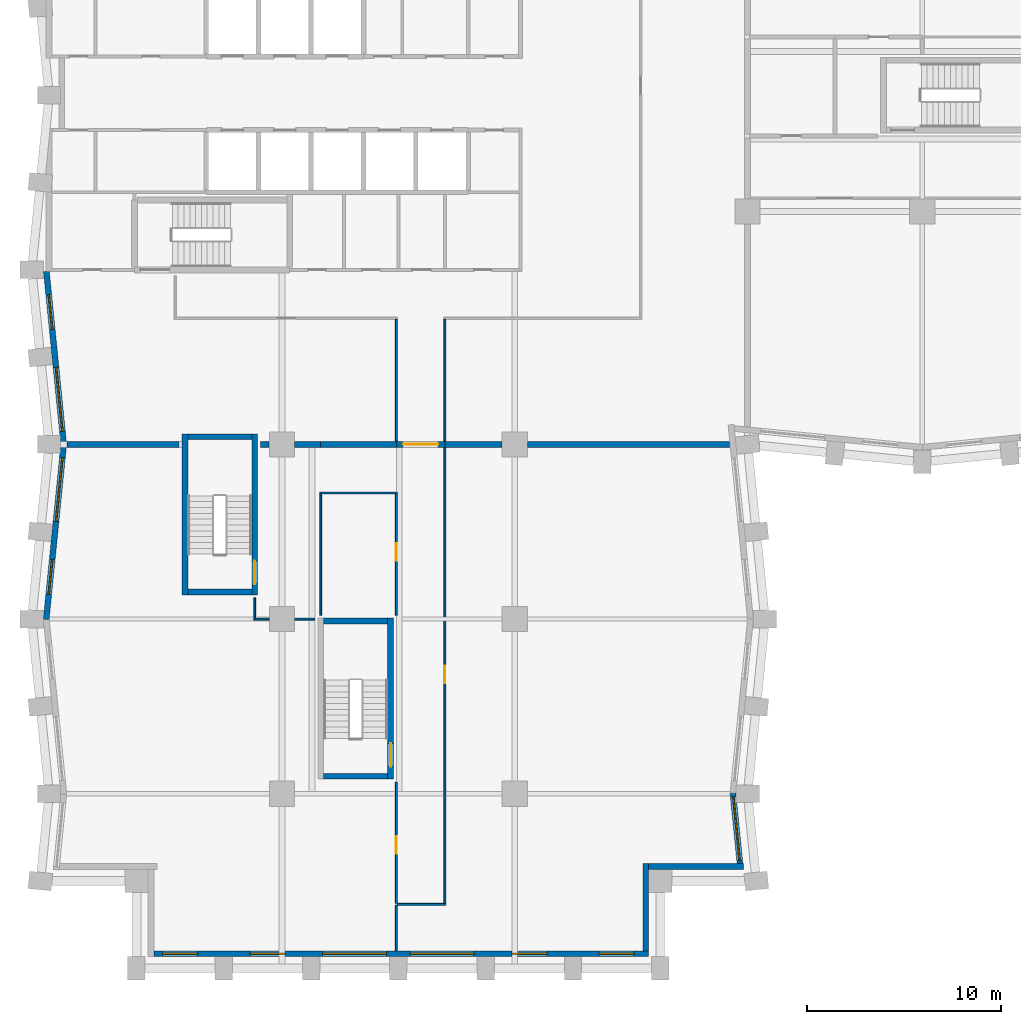
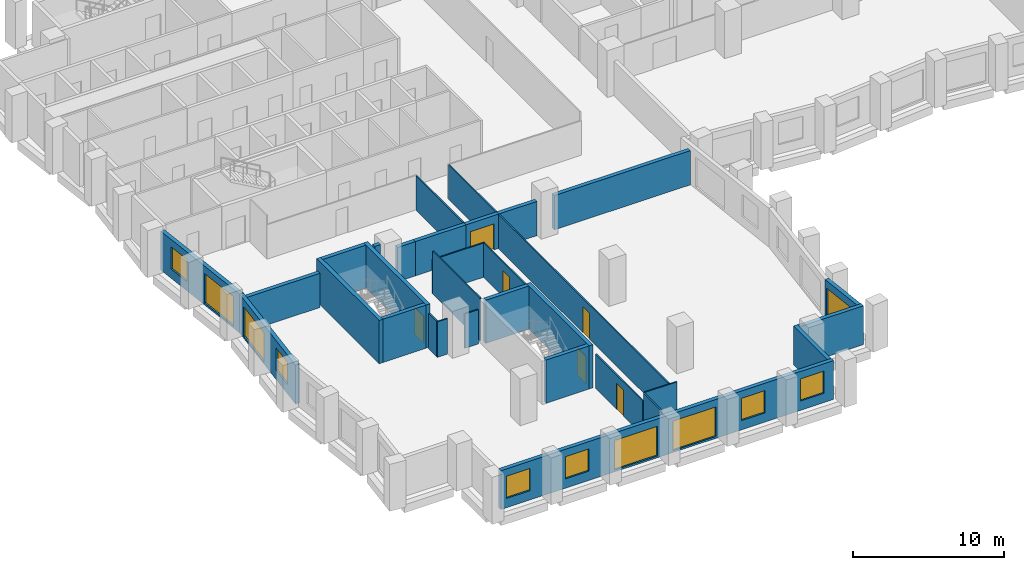
# One storey, part 3 of 11: 32 walls, 11 windows, 6 doors, 17 openings.
"""IFC4 building model written with IfcOpenShell, lengths in metres."""

from ifc_helpers import new_model, si_unit, direction, frame, frame_2d, origin, place, context, subcontext, project, spatial, rectangle, extrude, material, layer, layer_set, type_object, element, fill, save


model = new_model("IFC4")

# Units and contexts
model_context = context("Model", 3, precision=1e-05, world=origin(), true_north=direction((0.0, 1.0)))
body_context = subcontext(model_context, "Body", "Model", "MODEL_VIEW")
ifc_project = project(units=[si_unit("LENGTHUNIT", "METRE"), si_unit("AREAUNIT", "SQUARE_METRE"), si_unit("VOLUMEUNIT", "CUBIC_METRE"), si_unit("PLANEANGLEUNIT", "RADIAN"), si_unit("MASSUNIT", "GRAM", prefix="KILO")], contexts=[model_context])

# Site, building, storey
site_placement = place(None, origin())
site = spatial("IfcSite", under=ifc_project, at=site_placement, CompositionType="ELEMENT")
building_placement = place(site_placement, origin())
building = spatial("IfcBuilding", under=site, at=building_placement, Name="Brondeck Convention Tower", CompositionType="ELEMENT")
storey_placement = place(building_placement, frame((0.0, 0.0, 115.10009765625)))
storey = spatial("IfcBuildingStorey", under=building, at=storey_placement, Name="L27", CompositionType="ELEMENT", Elevation=115.10009765625)

# Walls
ifc_material_1 = material(Name="Concrete compartment wall C30/37", Category="concrete")
ifc_layer_1 = layer(ifc_material_1, 0.300048828125)
ifc_layer_set_1 = layer_set([ifc_layer_1], Name="Compartment wall 300")
wall_type_1 = type_object("IfcWallType", Name="Compartment wall 300", PredefinedType="PARTITIONING", material=ifc_layer_set_1)
wall_1_placement = place(storey_placement, frame((0.924560546875, 27.0, 0.0), z_axis=(0.0, 0.0, 1.0), x_axis=(1.0, 0.0, 0.0)))
element("IfcWall", 1, at=wall_1_placement, inside=storey, type_object=wall_type_1, Name="FLR-L27-W011", PredefinedType="PARTITIONING", context=body_context, shape_type="SweptSolid", body=[
    extrude(rectangle(XDim=5.775390625, YDim=0.300048828125, at=frame_2d((2.8876953125, 0.0))), origin(), (0.0, 0.0, 1.0), 2.77978515625),
])
wall_2_placement = place(storey_placement, frame((10.89990234375, 27.0, 0.0), z_axis=(0.0, 0.0, 1.0), x_axis=(1.0, 0.0, 0.0)))
element("IfcWall", 2, at=wall_2_placement, inside=storey, type_object=wall_type_1, Name="FLR-L27-W012", PredefinedType="PARTITIONING", context=body_context, shape_type="SweptSolid", body=[
    extrude(rectangle(XDim=0.445068359375, YDim=0.300048828125, at=frame_2d((0.22265625, 0.0))), origin(), (0.0, 0.0, 1.0), 3.47998046875),
])
wall_3_placement = place(storey_placement, frame((12.655029296875, 27.0, 0.0), z_axis=(0.0, 0.0, 1.0), x_axis=(1.0, 0.0, 0.0)))
element("IfcWall", 3, at=wall_3_placement, inside=storey, type_object=wall_type_1, Name="FLR-L27-W013", PredefinedType="PARTITIONING", context=body_context, shape_type="SweptSolid", body=[
    extrude(rectangle(XDim=1.344970703125, YDim=0.300048828125, at=frame_2d((0.67236328125, 0.0))), origin(), (0.0, 0.0, 1.0), 2.77978515625),
])
wall_4_placement = place(storey_placement, frame((14.0, 27.0, 0.0), z_axis=(0.0, 0.0, 1.0), x_axis=(1.0, 0.0, 0.0)))
element("IfcWall", 4, at=wall_4_placement, inside=storey, type_object=wall_type_1, Name="FLR-L27-W014", PredefinedType="PARTITIONING", context=body_context, shape_type="SweptSolid", body=[
    extrude(rectangle(XDim=3.89990234375, YDim=0.300048828125, at=frame_2d((1.949951171875, 0.0))), origin(), (0.0, 0.0, 1.0), 2.77978515625),
])

# Wall, opening, door
wall_5_placement = place(storey_placement, frame((20.39990234375, 27.0, 0.0), z_axis=(0.0, 0.0, 1.0), x_axis=(-1.0, 0.0, 0.0)))
wall_5 = element("IfcWall", 5, at=wall_5_placement, inside=storey, type_object=wall_type_1, Name="FLR-L27-W015", PredefinedType="PARTITIONING", context=body_context, shape_type="SweptSolid", body=[
    extrude(rectangle(XDim=2.5, YDim=0.300048828125, at=frame_2d((1.25, 0.0))), origin(), (0.0, 0.0, 1.0), 2.77978515625),
])
opening_1_placement = place(wall_5_placement, frame((0.35009765625, 0.0, 0.0)))
opening_1 = element("IfcOpeningElement", 6, at=opening_1_placement, cuts=wall_5, Name="Opening OF-C-020", PredefinedType="OPENING", context=body_context, shape_type="SweptSolid", body=[
    extrude(rectangle(XDim=1.800048828125, YDim=2.10009765625, at=frame_2d((0.89990234375, 1.050048828125))), frame((0.0, 0.159912109375, 0.0), z_axis=(0.0, -1.0, 0.0), x_axis=(1.0, 0.0, 0.0)), (0.0, 0.0, 1.0), 0.320068359375),
])
ifc_material_2 = material(Name="Steel fire door pair", Category="steel")
door_type_1 = type_object("IfcDoorType", Name="Fire door pair 1800", OperationType="DOUBLE_DOOR_SINGLE_SWING", PredefinedType="DOOR", material=ifc_material_2)
door_1_placement = place(opening_1_placement, origin())
door_1 = element("IfcDoor", 7, at=door_1_placement, inside=storey, type_object=door_type_1, Name="Door OF-C-020", OperationType="DOUBLE_DOOR_SINGLE_SWING", OverallHeight=2.10009765625, OverallWidth=1.800048828125, PredefinedType="DOOR", context=body_context, shape_type="SweptSolid", body=[
    extrude(rectangle(XDim=1.800048828125, YDim=2.10009765625, at=frame_2d((0.89990234375, 1.050048828125))), frame((0.0, 0.02490234375, 0.0), z_axis=(0.0, -1.0, 0.0), x_axis=(1.0, 0.0, 0.0)), (0.0, 0.0, 1.0), 0.050048828125),
])
fill(opening_1, door_1)

# Walls
wall_6_placement = place(storey_placement, frame((20.39990234375, 27.0, 0.0), z_axis=(0.0, 0.0, 1.0), x_axis=(1.0, 0.0, 0.0)))
element("IfcWall", 8, at=wall_6_placement, inside=storey, type_object=wall_type_1, Name="FLR-L27-W016", PredefinedType="PARTITIONING", context=body_context, shape_type="SweptSolid", body=[
    extrude(rectangle(XDim=2.945068359375, YDim=0.300048828125, at=frame_2d((1.47265625, 0.0))), origin(), (0.0, 0.0, 1.0), 2.77978515625),
])
wall_7_placement = place(storey_placement, frame((24.655029296875, 27.0, 0.0), z_axis=(0.0, 0.0, 1.0), x_axis=(1.0, 0.0, 0.0)))
element("IfcWall", 9, at=wall_7_placement, inside=storey, type_object=wall_type_1, Name="FLR-L27-W017", PredefinedType="PARTITIONING", context=body_context, shape_type="SweptSolid", body=[
    extrude(rectangle(XDim=10.42041015625, YDim=0.300048828125, at=frame_2d((5.210205078125, 0.0))), origin(), (0.0, 0.0, 1.0), 2.77978515625),
])

# Wall, openings, windows
ifc_material_3 = material(Name="Precast concrete C50/60 bronze finish", Category="concrete")
ifc_layer_2 = layer(ifc_material_3, 0.070068359375, Name="Bronze precast facing")
ifc_material_4 = material(Name="Mineral wool")
ifc_layer_3 = layer(ifc_material_4, 0.159912109375, Name="Insulation")
ifc_material_5 = material(Name="Concrete C35/45", Category="concrete")
ifc_layer_4 = layer(ifc_material_5, 0.070068359375, Name="Backing")
ifc_layer_set_2 = layer_set([ifc_layer_2, ifc_layer_3, ifc_layer_4], Name="External infill wall, precast concrete C50/60 bronze facing")
wall_type_2 = type_object("IfcWallType", Name="External infill wall, precast concrete C50/60 bronze facing", PredefinedType="SOLIDWALL", material=ifc_layer_set_2)
wall_8_placement = place(storey_placement, frame((30.89990234375, 0.75, 0.0), z_axis=(0.0, 0.0, 1.0), x_axis=(-1.0, 0.0, 0.0)))
wall_8 = element("IfcWall", 10, at=wall_8_placement, inside=storey, type_object=wall_type_2, Name="ENV-EW-L27-P0-B-S0-01", PredefinedType="SOLIDWALL", context=body_context, shape_type="SweptSolid", body=[
    extrude(rectangle(XDim=25.5, YDim=0.300048828125, at=frame_2d((12.75, 0.0))), origin(), (0.0, 0.0, 1.0), 3.14990234375),
])
opening_2_placement = place(wall_8_placement, frame((0.75, 0.0, 0.75)))
opening_2 = element("IfcOpeningElement", 11, at=opening_2_placement, cuts=wall_8, Name="Opening W10", PredefinedType="OPENING", context=body_context, shape_type="SweptSolid", body=[
    extrude(rectangle(XDim=1.800048828125, YDim=1.800048828125, at=frame_2d((0.89990234375, 0.89990234375))), frame((0.0, 0.159912109375, 0.0), z_axis=(0.0, -1.0, 0.0), x_axis=(1.0, 0.0, 0.0)), (0.0, 0.0, 1.0), 0.320068359375),
])
opening_3_placement = place(wall_8_placement, frame((5.25, 0.0, 0.75)))
opening_3 = element("IfcOpeningElement", 12, at=opening_3_placement, cuts=wall_8, Name="Opening W10", PredefinedType="OPENING", context=body_context, shape_type="SweptSolid", body=[
    extrude(rectangle(XDim=1.800048828125, YDim=1.800048828125, at=frame_2d((0.89990234375, 0.89990234375))), frame((0.0, 0.159912109375, 0.0), z_axis=(0.0, -1.0, 0.0), x_axis=(1.0, 0.0, 0.0)), (0.0, 0.0, 1.0), 0.320068359375),
])
opening_4_placement = place(wall_8_placement, frame((9.0, 0.0, 0.14990234375)))
opening_4 = element("IfcOpeningElement", 13, at=opening_4_placement, cuts=wall_8, Name="Opening W9", PredefinedType="OPENING", context=body_context, shape_type="SweptSolid", body=[
    extrude(rectangle(XDim=3.300048828125, YDim=2.39990234375, at=frame_2d((1.64990234375, 1.199951171875))), frame((0.0, 0.159912109375, 0.0), z_axis=(0.0, -1.0, 0.0), x_axis=(1.0, 0.0, 0.0)), (0.0, 0.0, 1.0), 0.320068359375),
])
opening_5_placement = place(wall_8_placement, frame((13.5, 0.0, 0.14990234375)))
opening_5 = element("IfcOpeningElement", 14, at=opening_5_placement, cuts=wall_8, Name="Opening W9", PredefinedType="OPENING", context=body_context, shape_type="SweptSolid", body=[
    extrude(rectangle(XDim=3.300048828125, YDim=2.39990234375, at=frame_2d((1.64990234375, 1.199951171875))), frame((0.0, 0.159912109375, 0.0), z_axis=(0.0, -1.0, 0.0), x_axis=(1.0, 0.0, 0.0)), (0.0, 0.0, 1.0), 0.320068359375),
])
opening_6_placement = place(wall_8_placement, frame((18.75, 0.0, 0.75)))
opening_6 = element("IfcOpeningElement", 15, at=opening_6_placement, cuts=wall_8, Name="Opening W10", PredefinedType="OPENING", context=body_context, shape_type="SweptSolid", body=[
    extrude(rectangle(XDim=1.800048828125, YDim=1.800048828125, at=frame_2d((0.89990234375, 0.89990234375))), frame((0.0, 0.159912109375, 0.0), z_axis=(0.0, -1.0, 0.0), x_axis=(1.0, 0.0, 0.0)), (0.0, 0.0, 1.0), 0.320068359375),
])
opening_7_placement = place(wall_8_placement, frame((23.25, 0.0, 0.75)))
opening_7 = element("IfcOpeningElement", 16, at=opening_7_placement, cuts=wall_8, Name="Opening W10", PredefinedType="OPENING", context=body_context, shape_type="SweptSolid", body=[
    extrude(rectangle(XDim=1.800048828125, YDim=1.800048828125, at=frame_2d((0.89990234375, 0.89990234375))), frame((0.0, 0.159912109375, 0.0), z_axis=(0.0, -1.0, 0.0), x_axis=(1.0, 0.0, 0.0)), (0.0, 0.0, 1.0), 0.320068359375),
])
ifc_material_6 = material(Name="Bronze tinted double glazing", Category="glass")
window_type_1 = type_object("IfcWindowType", Name="Glazed flute window, bronze tinted", PartitioningType="SINGLE_PANEL", PredefinedType="WINDOW", material=ifc_material_6)
window_1_placement = place(opening_4_placement, origin())
window_1 = element("IfcWindow", 17, at=window_1_placement, inside=storey, type_object=window_type_1, Name="ENV-WN-L27-P0-B-S0-04", OverallHeight=2.39990234375, OverallWidth=3.300048828125, PartitioningType="SINGLE_PANEL", PredefinedType="WINDOW", context=body_context, shape_type="SweptSolid", body=[
    extrude(rectangle(XDim=3.300048828125, YDim=2.39990234375, at=frame_2d((1.64990234375, 1.199951171875))), frame((0.0, 0.030029296875, 0.0), z_axis=(0.0, -1.0, 0.0), x_axis=(1.0, 0.0, 0.0)), (0.0, 0.0, 1.0), 0.06005859375),
])
fill(opening_4, window_1)
window_2_placement = place(opening_5_placement, origin())
window_2 = element("IfcWindow", 18, at=window_2_placement, inside=storey, type_object=window_type_1, Name="ENV-WN-L27-P0-B-S0-03", OverallHeight=2.39990234375, OverallWidth=3.300048828125, PartitioningType="SINGLE_PANEL", PredefinedType="WINDOW", context=body_context, shape_type="SweptSolid", body=[
    extrude(rectangle(XDim=3.300048828125, YDim=2.39990234375, at=frame_2d((1.64990234375, 1.199951171875))), frame((0.0, 0.030029296875, 0.0), z_axis=(0.0, -1.0, 0.0), x_axis=(1.0, 0.0, 0.0)), (0.0, 0.0, 1.0), 0.06005859375),
])
fill(opening_5, window_2)
window_type_2 = type_object("IfcWindowType", Name="Punched window, bronze tinted", PartitioningType="SINGLE_PANEL", PredefinedType="WINDOW", material=ifc_material_6)
window_3_placement = place(opening_2_placement, origin())
window_3 = element("IfcWindow", 19, at=window_3_placement, inside=storey, type_object=window_type_2, Name="ENV-WN-L27-P0-B-S0-06", OverallHeight=1.800048828125, OverallWidth=1.800048828125, PartitioningType="SINGLE_PANEL", PredefinedType="WINDOW", context=body_context, shape_type="SweptSolid", body=[
    extrude(rectangle(XDim=1.800048828125, YDim=1.800048828125, at=frame_2d((0.89990234375, 0.89990234375))), frame((0.0, 0.030029296875, 0.0), z_axis=(0.0, -1.0, 0.0), x_axis=(1.0, 0.0, 0.0)), (0.0, 0.0, 1.0), 0.06005859375),
])
fill(opening_2, window_3)
window_4_placement = place(opening_3_placement, origin())
window_4 = element("IfcWindow", 20, at=window_4_placement, inside=storey, type_object=window_type_2, Name="ENV-WN-L27-P0-B-S0-05", OverallHeight=1.800048828125, OverallWidth=1.800048828125, PartitioningType="SINGLE_PANEL", PredefinedType="WINDOW", context=body_context, shape_type="SweptSolid", body=[
    extrude(rectangle(XDim=1.800048828125, YDim=1.800048828125, at=frame_2d((0.89990234375, 0.89990234375))), frame((0.0, 0.030029296875, 0.0), z_axis=(0.0, -1.0, 0.0), x_axis=(1.0, 0.0, 0.0)), (0.0, 0.0, 1.0), 0.06005859375),
])
fill(opening_3, window_4)
window_5_placement = place(opening_6_placement, origin())
window_5 = element("IfcWindow", 21, at=window_5_placement, inside=storey, type_object=window_type_2, Name="ENV-WN-L27-P0-B-S0-02", OverallHeight=1.800048828125, OverallWidth=1.800048828125, PartitioningType="SINGLE_PANEL", PredefinedType="WINDOW", context=body_context, shape_type="SweptSolid", body=[
    extrude(rectangle(XDim=1.800048828125, YDim=1.800048828125, at=frame_2d((0.89990234375, 0.89990234375))), frame((0.0, 0.030029296875, 0.0), z_axis=(0.0, -1.0, 0.0), x_axis=(1.0, 0.0, 0.0)), (0.0, 0.0, 1.0), 0.06005859375),
])
fill(opening_6, window_5)
window_6_placement = place(opening_7_placement, origin())
window_6 = element("IfcWindow", 22, at=window_6_placement, inside=storey, type_object=window_type_2, Name="ENV-WN-L27-P0-B-S0-01", OverallHeight=1.800048828125, OverallWidth=1.800048828125, PartitioningType="SINGLE_PANEL", PredefinedType="WINDOW", context=body_context, shape_type="SweptSolid", body=[
    extrude(rectangle(XDim=1.800048828125, YDim=1.800048828125, at=frame_2d((0.89990234375, 0.89990234375))), frame((0.0, 0.030029296875, 0.0), z_axis=(0.0, -1.0, 0.0), x_axis=(1.0, 0.0, 0.0)), (0.0, 0.0, 1.0), 0.06005859375),
])
fill(opening_7, window_6)

# Walls
wall_9_placement = place(storey_placement, frame((30.75, 5.39990234375, 0.0), z_axis=(0.0, 0.0, 1.0), x_axis=(0.0, -1.0, 0.0)))
element("IfcWall", 23, at=wall_9_placement, inside=storey, type_object=wall_type_2, Name="ENV-EW-L27-P0-NC-SEB0-01", PredefinedType="SOLIDWALL", context=body_context, shape_type="SweptSolid", body=[
    extrude(rectangle(XDim=4.501953125, YDim=0.300048828125, at=frame_2d((2.2509765625, 0.0))), origin(), (0.0, 0.0, 1.0), 3.14990234375),
])
wall_10_placement = place(storey_placement, frame((35.787109375, 5.25, 0.0), z_axis=(0.0, 0.0, 1.0), x_axis=(-1.0, 0.0, 0.0)))
element("IfcWall", 24, at=wall_10_placement, inside=storey, type_object=wall_type_2, Name="ENV-EW-L27-P0-NC-SEB0-02", PredefinedType="SOLIDWALL", context=body_context, shape_type="SweptSolid", body=[
    extrude(rectangle(XDim=4.88720703125, YDim=0.300048828125, at=frame_2d((2.443603515625, 0.0))), origin(), (0.0, 0.0, 1.0), 3.14990234375),
])

# Wall, opening, window
wall_11_placement = place(storey_placement, frame((35.244873046875, 9.014892578125, 0.0), z_axis=(0.0, 0.0, 1.0), x_axis=(0.099470401798, -0.995040521369, 0.0)))
wall_11 = element("IfcWall", 25, at=wall_11_placement, inside=storey, type_object=wall_type_2, Name="ENV-EW-L27-P0-B-E-04", PredefinedType="SOLIDWALL", context=body_context, shape_type="SweptSolid", body=[
    extrude(rectangle(XDim=3.627685546875, YDim=0.300048828125, at=frame_2d((1.81396484375, 0.0))), origin(), (0.0, 0.0, 1.0), 3.14990234375),
])
opening_8_placement = place(wall_11_placement, frame((0.177734375, 0.0, 0.14990234375)))
opening_8 = element("IfcOpeningElement", 26, at=opening_8_placement, cuts=wall_11, Name="Opening W9", PredefinedType="OPENING", context=body_context, shape_type="SweptSolid", body=[
    extrude(rectangle(XDim=3.300048828125, YDim=2.39990234375, at=frame_2d((1.64990234375, 1.199951171875))), frame((0.0, 0.159912109375, 0.0), z_axis=(0.0, -1.0, 0.0), x_axis=(1.0, 0.0, 0.0)), (0.0, 0.0, 1.0), 0.320068359375),
])
window_7_placement = place(opening_8_placement, origin())
window_7 = element("IfcWindow", 27, at=window_7_placement, inside=storey, type_object=window_type_1, Name="ENV-WN-L27-P0-B-E-04", OverallHeight=2.39990234375, OverallWidth=3.300048828125, PartitioningType="SINGLE_PANEL", PredefinedType="WINDOW", context=body_context, shape_type="SweptSolid", body=[
    extrude(rectangle(XDim=3.300048828125, YDim=2.39990234375, at=frame_2d((1.64990234375, 1.199951171875))), frame((0.0, 0.030029296875, 0.0), z_axis=(0.0, -1.0, 0.0), x_axis=(1.0, 0.0, 0.0)), (0.0, 0.0, 1.0), 0.06005859375),
])
fill(opening_8, window_7)

# Wall, openings, windows
wall_12_placement = place(storey_placement, frame((0.755126953125, 26.985107421875, 0.0), z_axis=(0.0, 0.0, 1.0), x_axis=(-0.099479505633, 0.995039611251, 0.0)))
wall_12 = element("IfcWall", 28, at=wall_12_placement, inside=storey, type_object=wall_type_2, Name="ENV-EW-L27-P0-B-W-06", PredefinedType="SOLIDWALL", context=body_context, shape_type="SweptSolid", body=[
    extrude(rectangle(XDim=8.98486328125, YDim=0.300048828125, at=frame_2d((4.492431640625, 0.0))), origin(), (0.0, 0.0, 1.0), 3.14990234375),
])
opening_9_placement = place(wall_12_placement, frame((0.701171875, 0.0, 0.14990234375)))
opening_9 = element("IfcOpeningElement", 29, at=opening_9_placement, cuts=wall_12, Name="Opening W9", PredefinedType="OPENING", context=body_context, shape_type="SweptSolid", body=[
    extrude(rectangle(XDim=3.300048828125, YDim=2.39990234375, at=frame_2d((1.64990234375, 1.199951171875))), frame((0.0, 0.159912109375, 0.0), z_axis=(0.0, -1.0, 0.0), x_axis=(1.0, 0.0, 0.0)), (0.0, 0.0, 1.0), 0.320068359375),
])
opening_10_placement = place(wall_12_placement, frame((5.9736328125, 0.0, 0.75)))
opening_10 = element("IfcOpeningElement", 30, at=opening_10_placement, cuts=wall_12, Name="Opening W10", PredefinedType="OPENING", context=body_context, shape_type="SweptSolid", body=[
    extrude(rectangle(XDim=1.800048828125, YDim=1.800048828125, at=frame_2d((0.89990234375, 0.89990234375))), frame((0.0, 0.159912109375, 0.0), z_axis=(0.0, -1.0, 0.0), x_axis=(1.0, 0.0, 0.0)), (0.0, 0.0, 1.0), 0.320068359375),
])
window_8_placement = place(opening_9_placement, origin())
window_8 = element("IfcWindow", 31, at=window_8_placement, inside=storey, type_object=window_type_1, Name="ENV-WN-L27-P0-B-W-07", OverallHeight=2.39990234375, OverallWidth=3.300048828125, PartitioningType="SINGLE_PANEL", PredefinedType="WINDOW", context=body_context, shape_type="SweptSolid", body=[
    extrude(rectangle(XDim=3.300048828125, YDim=2.39990234375, at=frame_2d((1.64990234375, 1.199951171875))), frame((0.0, 0.030029296875, 0.0), z_axis=(0.0, -1.0, 0.0), x_axis=(1.0, 0.0, 0.0)), (0.0, 0.0, 1.0), 0.06005859375),
])
fill(opening_9, window_8)
window_9_placement = place(opening_10_placement, origin())
window_9 = element("IfcWindow", 32, at=window_9_placement, inside=storey, type_object=window_type_2, Name="ENV-WN-L27-P0-B-W-06", OverallHeight=1.800048828125, OverallWidth=1.800048828125, PartitioningType="SINGLE_PANEL", PredefinedType="WINDOW", context=body_context, shape_type="SweptSolid", body=[
    extrude(rectangle(XDim=1.800048828125, YDim=1.800048828125, at=frame_2d((0.89990234375, 0.89990234375))), frame((0.0, 0.030029296875, 0.0), z_axis=(0.0, -1.0, 0.0), x_axis=(1.0, 0.0, 0.0)), (0.0, 0.0, 1.0), 0.06005859375),
])
fill(opening_10, window_9)

wall_13_placement = place(storey_placement, frame((-0.147705078125, 17.985107421875, 0.0), z_axis=(0.0, 0.0, 1.0), x_axis=(0.099495688264, 0.995037993253, 0.0)))
wall_13 = element("IfcWall", 33, at=wall_13_placement, inside=storey, type_object=wall_type_2, Name="ENV-EW-L27-P0-B-W-08", PredefinedType="SOLIDWALL", context=body_context, shape_type="SweptSolid", body=[
    extrude(rectangle(XDim=9.030029296875, YDim=0.300048828125, at=frame_2d((4.51513671875, 0.0))), origin(), (0.0, 0.0, 1.0), 3.14990234375),
])
opening_11_placement = place(wall_13_placement, frame((1.30126953125, 0.0, 0.75)))
opening_11 = element("IfcOpeningElement", 34, at=opening_11_placement, cuts=wall_13, Name="Opening W10", PredefinedType="OPENING", context=body_context, shape_type="SweptSolid", body=[
    extrude(rectangle(XDim=1.800048828125, YDim=1.800048828125, at=frame_2d((0.89990234375, 0.89990234375))), frame((0.0, 0.159912109375, 0.0), z_axis=(0.0, -1.0, 0.0), x_axis=(1.0, 0.0, 0.0)), (0.0, 0.0, 1.0), 0.320068359375),
])
opening_12_placement = place(wall_13_placement, frame((5.073486328125, 0.0, 0.14990234375)))
opening_12 = element("IfcOpeningElement", 35, at=opening_12_placement, cuts=wall_13, Name="Opening W9", PredefinedType="OPENING", context=body_context, shape_type="SweptSolid", body=[
    extrude(rectangle(XDim=3.300048828125, YDim=2.39990234375, at=frame_2d((1.64990234375, 1.199951171875))), frame((0.0, 0.159912109375, 0.0), z_axis=(0.0, -1.0, 0.0), x_axis=(1.0, 0.0, 0.0)), (0.0, 0.0, 1.0), 0.320068359375),
])
window_10_placement = place(opening_12_placement, origin())
window_10 = element("IfcWindow", 36, at=window_10_placement, inside=storey, type_object=window_type_1, Name="ENV-WN-L27-P0-B-W-08", OverallHeight=2.39990234375, OverallWidth=3.300048828125, PartitioningType="SINGLE_PANEL", PredefinedType="WINDOW", context=body_context, shape_type="SweptSolid", body=[
    extrude(rectangle(XDim=3.300048828125, YDim=2.39990234375, at=frame_2d((1.64990234375, 1.199951171875))), frame((0.0, 0.030029296875, 0.0), z_axis=(0.0, -1.0, 0.0), x_axis=(1.0, 0.0, 0.0)), (0.0, 0.0, 1.0), 0.06005859375),
])
fill(opening_12, window_10)
window_11_placement = place(opening_11_placement, origin())
window_11 = element("IfcWindow", 37, at=window_11_placement, inside=storey, type_object=window_type_2, Name="ENV-WN-L27-P0-B-W-09", OverallHeight=1.800048828125, OverallWidth=1.800048828125, PartitioningType="SINGLE_PANEL", PredefinedType="WINDOW", context=body_context, shape_type="SweptSolid", body=[
    extrude(rectangle(XDim=1.800048828125, YDim=1.800048828125, at=frame_2d((0.89990234375, 0.89990234375))), frame((0.0, 0.030029296875, 0.0), z_axis=(0.0, -1.0, 0.0), x_axis=(1.0, 0.0, 0.0)), (0.0, 0.0, 1.0), 0.06005859375),
])
fill(opening_11, window_11)

# Walls
ifc_material_7 = material(Name="Gypsum board partition on steel studs", Category="steel")
ifc_layer_5 = layer(ifc_material_7, 0.10009765625)
ifc_layer_set_3 = layer_set([ifc_layer_5], Name="Room partition 100")
wall_type_3 = type_object("IfcWallType", Name="Room partition 100", PredefinedType="PARTITIONING", material=ifc_layer_set_3)
wall_14_placement = place(storey_placement, frame((17.89990234375, 0.919921875, 0.0), z_axis=(0.0, 0.0, 1.0), x_axis=(0.0, 1.0, 0.0)))
element("IfcWall", 38, at=wall_14_placement, inside=storey, type_object=wall_type_3, Name="FLR-L27-W001", PredefinedType="PARTITIONING", context=body_context, shape_type="SweptSolid", body=[
    extrude(rectangle(XDim=2.330078125, YDim=0.10009765625, at=frame_2d((1.1650390625, 0.0))), origin(), (0.0, 0.0, 1.0), 3.47998046875),
])
wall_15_placement = place(storey_placement, frame((20.449951171875, 3.300048828125, 0.0), z_axis=(0.0, 0.0, 1.0), x_axis=(-1.0, 0.0, 0.0)))
element("IfcWall", 39, at=wall_15_placement, inside=storey, type_object=wall_type_3, Name="FLR-L27-W002", PredefinedType="PARTITIONING", context=body_context, shape_type="SweptSolid", body=[
    extrude(rectangle(XDim=2.5, YDim=0.10009765625, at=frame_2d((1.25, 0.0))), origin(), (0.0, 0.0, 1.0), 3.47998046875),
])

# Wall, opening, door
wall_16_placement = place(storey_placement, frame((17.89990234375, 3.35009765625, 0.0), z_axis=(0.0, 0.0, 1.0), x_axis=(0.0, 1.0, 0.0)))
wall_16 = element("IfcWall", 40, at=wall_16_placement, inside=storey, type_object=wall_type_3, Name="FLR-L27-W003", PredefinedType="PARTITIONING", context=body_context, shape_type="SweptSolid", body=[
    extrude(rectangle(XDim=6.25, YDim=0.10009765625, at=frame_2d((3.125, 0.0))), origin(), (0.0, 0.0, 1.0), 2.77978515625),
])
opening_13_placement = place(wall_16_placement, frame((2.550048828125, 0.0, 0.0)))
opening_13 = element("IfcOpeningElement", 41, at=opening_13_placement, cuts=wall_16, Name="Opening OF-C-017", PredefinedType="OPENING", context=body_context, shape_type="SweptSolid", body=[
    extrude(rectangle(XDim=0.89990234375, YDim=2.10009765625, at=frame_2d((0.449951171875, 1.050048828125))), frame((0.0, 0.06005859375, 0.0), z_axis=(0.0, -1.0, 0.0), x_axis=(1.0, 0.0, 0.0)), (0.0, 0.0, 1.0), 0.1201171875),
])
ifc_material_8 = material(Name="Solid timber door leaf", Category="wood")
door_type_2 = type_object("IfcDoorType", Name="Single door 900", OperationType="NOTDEFINED", PredefinedType="DOOR", material=ifc_material_8)
door_2_placement = place(opening_13_placement, origin())
door_2 = element("IfcDoor", 42, at=door_2_placement, inside=storey, type_object=door_type_2, Name="Door OF-C-017", OperationType="SINGLE_SWING_LEFT", OverallHeight=2.10009765625, OverallWidth=0.89990234375, PredefinedType="DOOR", context=body_context, shape_type="SweptSolid", body=[
    extrude(rectangle(XDim=0.89990234375, YDim=2.10009765625, at=frame_2d((0.449951171875, 1.050048828125))), frame((0.0, 0.02490234375, 0.0), z_axis=(0.0, -1.0, 0.0), x_axis=(1.0, 0.0, 0.0)), (0.0, 0.0, 1.0), 0.050048828125),
])
fill(opening_13, door_2)

# Walls
wall_17_placement = place(storey_placement, frame((11.344970703125, 18.0, 0.0), z_axis=(0.0, 0.0, 1.0), x_axis=(-1.0, 0.0, 0.0)))
element("IfcWall", 43, at=wall_17_placement, inside=storey, type_object=wall_type_3, Name="FLR-L27-W004", PredefinedType="PARTITIONING", context=body_context, shape_type="SweptSolid", body=[
    extrude(rectangle(XDim=0.794921875, YDim=0.10009765625, at=frame_2d((0.3974609375, 0.0))), origin(), (0.0, 0.0, 1.0), 2.8798828125),
])
wall_18_placement = place(storey_placement, frame((13.699951171875, 18.0, 0.0), z_axis=(0.0, 0.0, 1.0), x_axis=(-1.0, 0.0, 0.0)))
element("IfcWall", 44, at=wall_18_placement, inside=storey, type_object=wall_type_3, Name="FLR-L27-W005", PredefinedType="PARTITIONING", context=body_context, shape_type="SweptSolid", body=[
    extrude(rectangle(XDim=1.044921875, YDim=0.10009765625, at=frame_2d((0.5224609375, 0.0))), origin(), (0.0, 0.0, 1.0), 2.77978515625),
])
wall_19_placement = place(storey_placement, frame((10.60009765625, 18.050048828125, 0.0), z_axis=(0.0, 0.0, 1.0), x_axis=(0.0, 1.0, 0.0)))
element("IfcWall", 45, at=wall_19_placement, inside=storey, type_object=wall_type_3, Name="FLR-L27-W006", PredefinedType="PARTITIONING", context=body_context, shape_type="SweptSolid", body=[
    extrude(rectangle(XDim=1.050048828125, YDim=0.10009765625, at=frame_2d((0.52490234375, 0.0))), origin(), (0.0, 0.0, 1.0), 2.8798828125),
])

# Wall, opening, door
wall_20_placement = place(storey_placement, frame((17.89990234375, 18.199951171875, 0.0), z_axis=(0.0, 0.0, 1.0), x_axis=(0.0, 1.0, 0.0)))
wall_20 = element("IfcWall", 46, at=wall_20_placement, inside=storey, type_object=wall_type_3, Name="FLR-L27-W007", PredefinedType="PARTITIONING", context=body_context, shape_type="SweptSolid", body=[
    extrude(rectangle(XDim=6.25, YDim=0.10009765625, at=frame_2d((3.125, 0.0))), origin(), (0.0, 0.0, 1.0), 2.77978515625),
])
opening_14_placement = place(wall_20_placement, frame((2.800048828125, 0.0, 0.0)))
opening_14 = element("IfcOpeningElement", 47, at=opening_14_placement, cuts=wall_20, Name="Opening OF-C-001", PredefinedType="OPENING", context=body_context, shape_type="SweptSolid", body=[
    extrude(rectangle(XDim=0.89990234375, YDim=2.10009765625, at=frame_2d((0.449951171875, 1.050048828125))), frame((0.0, 0.06005859375, 0.0), z_axis=(0.0, -1.0, 0.0), x_axis=(1.0, 0.0, 0.0)), (0.0, 0.0, 1.0), 0.1201171875),
])
door_3_placement = place(opening_14_placement, origin())
door_3 = element("IfcDoor", 48, at=door_3_placement, inside=storey, type_object=door_type_2, Name="Door OF-C-001", OperationType="SINGLE_SWING_LEFT", OverallHeight=2.10009765625, OverallWidth=0.89990234375, PredefinedType="DOOR", context=body_context, shape_type="SweptSolid", body=[
    extrude(rectangle(XDim=0.89990234375, YDim=2.10009765625, at=frame_2d((0.449951171875, 1.050048828125))), frame((0.0, 0.02490234375, 0.0), z_axis=(0.0, -1.0, 0.0), x_axis=(1.0, 0.0, 0.0)), (0.0, 0.0, 1.0), 0.050048828125),
])
fill(opening_14, door_3)

# Walls
wall_21_placement = place(storey_placement, frame((14.0, 24.449951171875, 0.0), z_axis=(0.0, 0.0, 1.0), x_axis=(0.0, -1.0, 0.0)))
element("IfcWall", 49, at=wall_21_placement, inside=storey, type_object=wall_type_3, Name="FLR-L27-W008", PredefinedType="PARTITIONING", context=body_context, shape_type="SweptSolid", body=[
    extrude(rectangle(XDim=6.25, YDim=0.10009765625, at=frame_2d((3.125, 0.0))), origin(), (0.0, 0.0, 1.0), 3.47998046875),
])
wall_22_placement = place(storey_placement, frame((17.949951171875, 24.5, 0.0), z_axis=(0.0, 0.0, 1.0), x_axis=(-1.0, 0.0, 0.0)))
element("IfcWall", 50, at=wall_22_placement, inside=storey, type_object=wall_type_3, Name="FLR-L27-W009", PredefinedType="PARTITIONING", context=body_context, shape_type="SweptSolid", body=[
    extrude(rectangle(XDim=4.0, YDim=0.10009765625, at=frame_2d((2.0, 0.0))), origin(), (0.0, 0.0, 1.0), 2.77978515625),
])

# Wall, opening, door
wall_23_placement = place(storey_placement, frame((20.39990234375, 26.830078125, 0.0), z_axis=(0.0, 0.0, 1.0), x_axis=(0.0, -1.0, 0.0)))
wall_23 = element("IfcWall", 51, at=wall_23_placement, inside=storey, type_object=wall_type_3, Name="FLR-L27-W010", PredefinedType="PARTITIONING", context=body_context, shape_type="SweptSolid", body=[
    extrude(rectangle(XDim=23.47998046875, YDim=0.10009765625, at=frame_2d((11.739990234375, 0.0))), origin(), (0.0, 0.0, 1.0), 2.77978515625),
])
opening_15_placement = place(wall_23_placement, frame((11.22998046875, 0.0, 0.0)))
opening_15 = element("IfcOpeningElement", 52, at=opening_15_placement, cuts=wall_23, Name="Opening OF-C-016", PredefinedType="OPENING", context=body_context, shape_type="SweptSolid", body=[
    extrude(rectangle(XDim=0.89990234375, YDim=2.10009765625, at=frame_2d((0.449951171875, 1.050048828125))), frame((0.0, 0.06005859375, 0.0), z_axis=(0.0, -1.0, 0.0), x_axis=(1.0, 0.0, 0.0)), (0.0, 0.0, 1.0), 0.1201171875),
])
door_4_placement = place(opening_15_placement, origin())
door_4 = element("IfcDoor", 53, at=door_4_placement, inside=storey, type_object=door_type_2, Name="Door OF-C-016", OperationType="SINGLE_SWING_LEFT", OverallHeight=2.10009765625, OverallWidth=0.89990234375, PredefinedType="DOOR", context=body_context, shape_type="SweptSolid", body=[
    extrude(rectangle(XDim=0.89990234375, YDim=2.10009765625, at=frame_2d((0.449951171875, 1.050048828125))), frame((0.0, 0.02490234375, 0.0), z_axis=(0.0, -1.0, 0.0), x_axis=(1.0, 0.0, 0.0)), (0.0, 0.0, 1.0), 0.050048828125),
])
fill(opening_15, door_4)

# Walls
for number, where, z_axis, x_axis, name in (
    (54, (17.89990234375, 27.169921875, 0.0), (0.0, 0.0, 1.0), (0.0, 1.0, 0.0), "FLR-L27-W018"),
    (55, (20.39990234375, 33.449951171875, 0.0), (0.0, 0.0, 1.0), (0.0, -1.0, 0.0), "FLR-L27-W020"),
):
    element("IfcWall", number, at=place(storey_placement, frame(where, z_axis=z_axis, x_axis=x_axis)), inside=storey, type_object=wall_type_3, Name=name, PredefinedType="PARTITIONING", context=body_context, shape_type="SweptSolid", body=[
        extrude(rectangle(XDim=6.280029296875, YDim=0.10009765625, at=frame_2d((3.14013671875, 0.0))), origin(), (0.0, 0.0, 1.0), 2.77978515625),
    ])
ifc_material_9 = material(Name="Concrete C70/85", Category="concrete")
ifc_layer_6 = layer(ifc_material_9, 0.300048828125)
ifc_layer_set_4 = layer_set([ifc_layer_6], Name="Stair enclosure wall 300 Concrete C70/85")
wall_type_4 = type_object("IfcWallType", Name="Stair enclosure wall 300 Concrete C70/85", PredefinedType="SHEAR", material=ifc_layer_set_4)
for number, where, z_axis, x_axis, name in (
    (56, (14.14990234375, 9.89990234375, 0.0), (0.0, 0.0, 1.0), (1.0, 0.0, 0.0), "L27 core wall"),
    (57, (14.14990234375, 17.89990234375, 0.0), (0.0, 0.0, 1.0), (1.0, 0.0, 0.0), "L27 core wall"),
    (58, (7.14990234375, 19.39990234375, 0.0), (0.0, 0.0, 1.0), (1.0, 0.0, 0.0), "L27 core wall"),
    (59, (7.14990234375, 27.39990234375, 0.0), (0.0, 0.0, 1.0), (1.0, 0.0, 0.0), "L27 core wall"),
):
    element("IfcWall", number, at=place(storey_placement, frame(where, z_axis=z_axis, x_axis=x_axis)), inside=storey, type_object=wall_type_4, Name=name, PredefinedType="SHEAR", context=body_context, shape_type="SweptSolid", body=[
        extrude(rectangle(XDim=3.300048828125, YDim=0.300048828125, at=frame_2d((1.64990234375, 0.0))), origin(), (0.0, 0.0, 1.0), 3.5),
    ])
wall_24_placement = place(storey_placement, frame((7.0, 19.25, 0.0), z_axis=(0.0, 0.0, 1.0), x_axis=(0.0, 1.0, 0.0)))
element("IfcWall", 60, at=wall_24_placement, inside=storey, type_object=wall_type_4, Name="L27 core wall", PredefinedType="SHEAR", context=body_context, shape_type="SweptSolid", body=[
    extrude(rectangle(XDim=8.300048828125, YDim=0.300048828125, at=frame_2d((4.14990234375, 0.0))), origin(), (0.0, 0.0, 1.0), 3.5),
])

# Wall, opening, door
wall_25_placement = place(storey_placement, frame((10.60009765625, 19.25, 0.0), z_axis=(0.0, 0.0, 1.0), x_axis=(0.0, 1.0, 0.0)))
wall_25 = element("IfcWall", 61, at=wall_25_placement, inside=storey, type_object=wall_type_4, Name="L27 core wall", PredefinedType="SHEAR", context=body_context, shape_type="SweptSolid", body=[
    extrude(rectangle(XDim=8.300048828125, YDim=0.300048828125, at=frame_2d((4.14990234375, 0.0))), origin(), (0.0, 0.0, 1.0), 3.5),
])
opening_16_placement = place(wall_25_placement, frame((0.550048828125, 0.0, 0.0)))
opening_16 = element("IfcOpeningElement", 62, at=opening_16_placement, cuts=wall_25, Name="Opening C16-22", PredefinedType="OPENING", context=body_context, shape_type="SweptSolid", body=[
    extrude(rectangle(XDim=1.199951171875, YDim=2.199951171875, at=frame_2d((0.60009765625, 1.10009765625))), frame((0.0, 0.159912109375, 0.0), z_axis=(0.0, -1.0, 0.0), x_axis=(1.0, 0.0, 0.0)), (0.0, 0.0, 1.0), 0.320068359375),
])
ifc_material_10 = material(Name="Steel fire door", Category="steel")
door_type_3 = type_object("IfcDoorType", Name="Stair door 1200x2200 EI 90", OperationType="NOTDEFINED", PredefinedType="DOOR", material=ifc_material_10)
door_5_placement = place(opening_16_placement, origin())
door_5 = element("IfcDoor", 63, at=door_5_placement, inside=storey, type_object=door_type_3, Name="L27 Stair door ST-BE", OperationType="SINGLE_SWING_RIGHT", OverallHeight=2.199951171875, OverallWidth=1.199951171875, PredefinedType="DOOR", context=body_context, shape_type="SweptSolid", body=[
    extrude(rectangle(XDim=1.199951171875, YDim=2.199951171875, at=frame_2d((0.60009765625, 1.10009765625))), frame((0.0, 0.02490234375, 0.0), z_axis=(0.0, -1.0, 0.0), x_axis=(1.0, 0.0, 0.0)), (0.0, 0.0, 1.0), 0.050048828125),
])
fill(opening_16, door_5)

wall_26_placement = place(storey_placement, frame((17.60009765625, 9.75, 0.0), z_axis=(0.0, 0.0, 1.0), x_axis=(0.0, 1.0, 0.0)))
wall_26 = element("IfcWall", 64, at=wall_26_placement, inside=storey, type_object=wall_type_4, Name="L27 core wall", PredefinedType="SHEAR", context=body_context, shape_type="SweptSolid", body=[
    extrude(rectangle(XDim=8.300048828125, YDim=0.300048828125, at=frame_2d((4.14990234375, 0.0))), origin(), (0.0, 0.0, 1.0), 3.5),
])
opening_17_placement = place(wall_26_placement, frame((0.64990234375, 0.0, 0.0)))
opening_17 = element("IfcOpeningElement", 65, at=opening_17_placement, cuts=wall_26, Name="Opening C16-23", PredefinedType="OPENING", context=body_context, shape_type="SweptSolid", body=[
    extrude(rectangle(XDim=1.199951171875, YDim=2.199951171875, at=frame_2d((0.60009765625, 1.10009765625))), frame((0.0, 0.159912109375, 0.0), z_axis=(0.0, -1.0, 0.0), x_axis=(1.0, 0.0, 0.0)), (0.0, 0.0, 1.0), 0.320068359375),
])
door_6_placement = place(opening_17_placement, origin())
door_6 = element("IfcDoor", 66, at=door_6_placement, inside=storey, type_object=door_type_3, Name="L27 Stair door ST-BF", OperationType="SINGLE_SWING_LEFT", OverallHeight=2.199951171875, OverallWidth=1.199951171875, PredefinedType="DOOR", context=body_context, shape_type="SweptSolid", body=[
    extrude(rectangle(XDim=1.199951171875, YDim=2.199951171875, at=frame_2d((0.60009765625, 1.10009765625))), frame((0.0, 0.02490234375, 0.0), z_axis=(0.0, -1.0, 0.0), x_axis=(1.0, 0.0, 0.0)), (0.0, 0.0, 1.0), 0.050048828125),
])
fill(opening_17, door_6)

save(model, "model.ifc")
